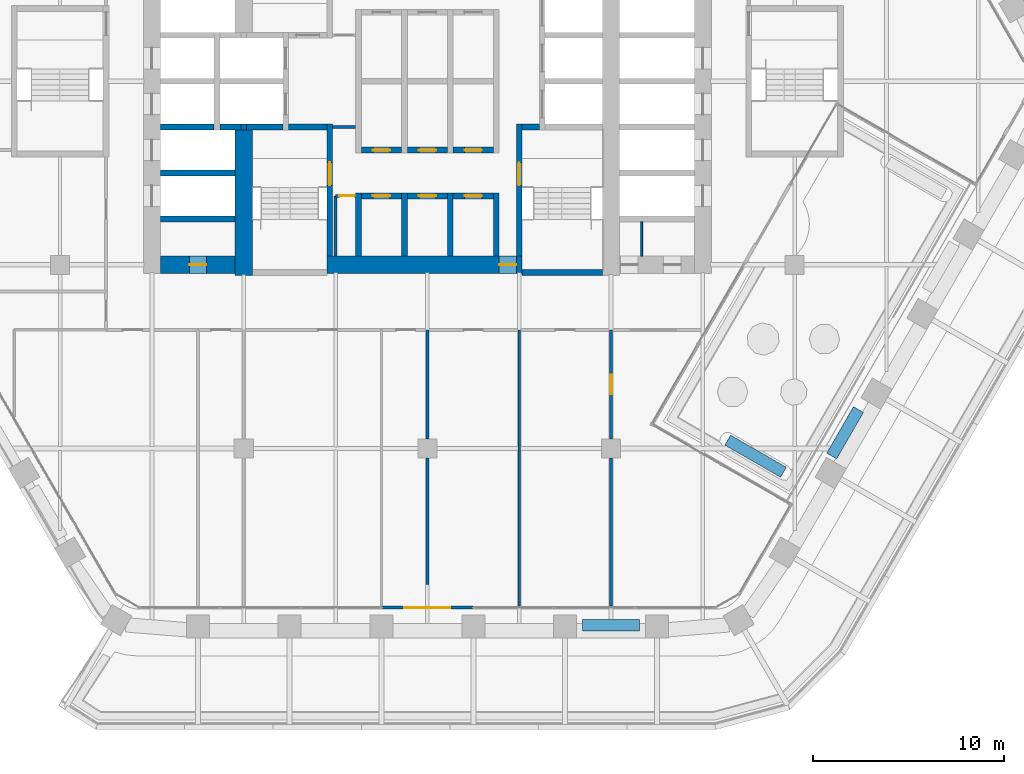
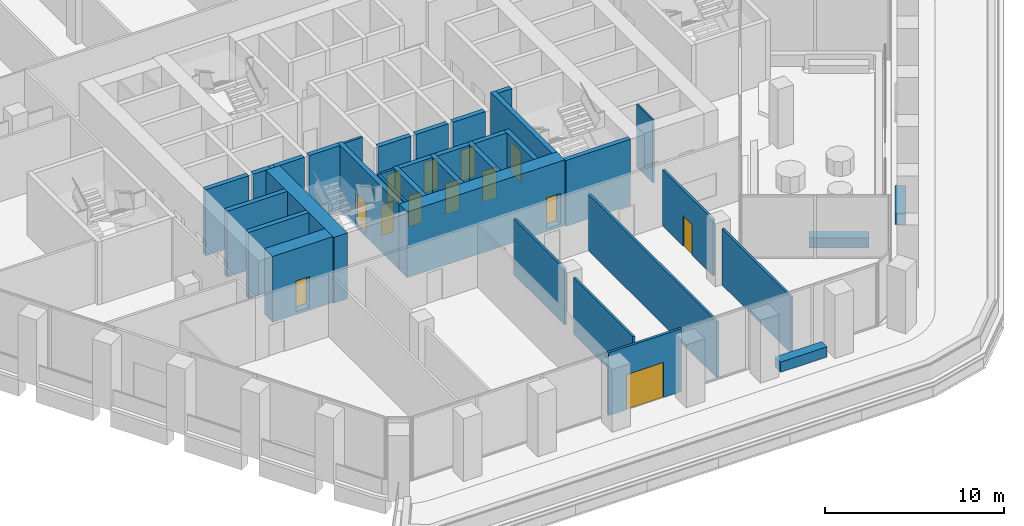
# One storey, part 14 of 25: 37 walls, 13 doors, 13 openings.
"""IFC4 building model written with IfcOpenShell, lengths in metres."""

from ifc_helpers import new_model, si_unit, direction, frame, frame_2d, origin, place, context, subcontext, project, spatial, rectangle, extrude, material, layer, layer_set, type_object, element, fill, save


model = new_model("IFC4")

# Units and contexts
model_context = context("Model", 3, precision=1e-05, world=origin(), true_north=direction((0.0, 1.0)))
body_context = subcontext(model_context, "Body", "Model", "MODEL_VIEW")
ifc_project = project(units=[si_unit("LENGTHUNIT", "METRE"), si_unit("AREAUNIT", "SQUARE_METRE"), si_unit("VOLUMEUNIT", "CUBIC_METRE"), si_unit("PLANEANGLEUNIT", "RADIAN"), si_unit("MASSUNIT", "GRAM", prefix="KILO")], contexts=[model_context])

# Site, building, storey
site_placement = place(None, origin())
site = spatial("IfcSite", under=ifc_project, at=site_placement, CompositionType="ELEMENT")
building_placement = place(site_placement, origin())
building = spatial("IfcBuilding", under=site, at=building_placement, Name="Kolab Exchange Tower", CompositionType="ELEMENT")
storey_placement = place(building_placement, frame((0.0, 0.0, 91.39990234375)))
storey = spatial("IfcBuildingStorey", under=building, at=storey_placement, Name="L17", CompositionType="ELEMENT", Elevation=91.39990234375)

# Wall, opening, door
ifc_material_1 = material(Name="Concrete C70/85", Category="concrete")
ifc_layer_1 = layer(ifc_material_1, 0.89990234375)
ifc_layer_set_1 = layer_set([ifc_layer_1], Name="Concrete C70/85")
wall_type_1 = type_object("IfcWallType", Name="CORE WALL 900 C70/85", PredefinedType="SHEAR", material=ifc_layer_set_1)
wall_1_placement = place(storey_placement, frame((-13.949951171875, -9.60009765625, -0.199951171875), z_axis=(0.0, 0.0, 1.0), x_axis=(1.0, 0.0, 0.0)))
wall_1 = element("IfcWall", 1, at=wall_1_placement, inside=storey, type_object=wall_type_1, Name="wall/L17/core/002", PredefinedType="SHEAR", context=body_context, shape_type="SweptSolid", body=[
    extrude(rectangle(XDim=3.89990234375, YDim=0.89990234375, at=frame_2d((1.949951171875, 0.0))), origin(), (0.0, 0.0, 1.0), 4.5),
])
opening_1_placement = place(wall_1_placement, frame((1.5, 0.0, 0.199951171875)))
opening_1 = element("IfcOpeningElement", 2, at=opening_1_placement, cuts=wall_1, Name="Opening D6-221", PredefinedType="OPENING", context=body_context, shape_type="SweptSolid", body=[
    extrude(rectangle(XDim=0.89990234375, YDim=2.10009765625, at=frame_2d((0.449951171875, 1.050048828125))), frame((0.0, 0.4599609375, 0.0), z_axis=(0.0, -1.0, 0.0), x_axis=(1.0, 0.0, 0.0)), (0.0, 0.0, 1.0), 0.919921875),
])
ifc_material_2 = material(Name="Steel S235", Category="steel")
door_type_1 = type_object("IfcDoorType", Name="CORE DOOR 900 EI 120", OperationType="SINGLE_SWING_LEFT", PredefinedType="DOOR", material=ifc_material_2)
door_1_placement = place(opening_1_placement, origin())
door_1 = element("IfcDoor", 3, at=door_1_placement, inside=storey, type_object=door_type_1, Name="Service room door", OperationType="SINGLE_SWING_LEFT", OverallHeight=2.10009765625, OverallWidth=0.89990234375, PredefinedType="DOOR", context=body_context, shape_type="SweptSolid", body=[
    extrude(rectangle(XDim=0.89990234375, YDim=2.10009765625, at=frame_2d((0.449951171875, 1.050048828125))), frame((0.0, 0.02490234375, 0.0), z_axis=(0.0, -1.0, 0.0), x_axis=(1.0, 0.0, 0.0)), (0.0, 0.0, 1.0), 0.050048828125),
])
fill(opening_1, door_1)

wall_2_placement = place(storey_placement, frame((-5.25, -9.60009765625, -0.199951171875), z_axis=(0.0, 0.0, 1.0), x_axis=(1.0, 0.0, 0.0)))
wall_2 = element("IfcWall", 4, at=wall_2_placement, inside=storey, type_object=wall_type_1, Name="wall/L17/core/003", PredefinedType="SHEAR", context=body_context, shape_type="SweptSolid", body=[
    extrude(rectangle(XDim=10.199951171875, YDim=0.89990234375, at=frame_2d((5.10009765625, 0.0))), origin(), (0.0, 0.0, 1.0), 4.5),
])
opening_2_placement = place(wall_2_placement, frame((9.0, 0.0, 0.199951171875)))
opening_2 = element("IfcOpeningElement", 5, at=opening_2_placement, cuts=wall_2, Name="Opening D6-216", PredefinedType="OPENING", context=body_context, shape_type="SweptSolid", body=[
    extrude(rectangle(XDim=0.89990234375, YDim=2.10009765625, at=frame_2d((0.449951171875, 1.050048828125))), frame((0.0, 0.4599609375, 0.0), z_axis=(0.0, -1.0, 0.0), x_axis=(1.0, 0.0, 0.0)), (0.0, 0.0, 1.0), 0.919921875),
])
door_2_placement = place(opening_2_placement, origin())
door_2 = element("IfcDoor", 6, at=door_2_placement, inside=storey, type_object=door_type_1, Name="Core lobby door", OperationType="SINGLE_SWING_LEFT", OverallHeight=2.10009765625, OverallWidth=0.89990234375, PredefinedType="DOOR", context=body_context, shape_type="SweptSolid", body=[
    extrude(rectangle(XDim=0.89990234375, YDim=2.10009765625, at=frame_2d((0.449951171875, 1.050048828125))), frame((0.0, 0.02490234375, 0.0), z_axis=(0.0, -1.0, 0.0), x_axis=(1.0, 0.0, 0.0)), (0.0, 0.0, 1.0), 0.050048828125),
])
fill(opening_2, door_2)

# Wall
wall_3_placement = place(storey_placement, frame((-9.60009765625, -10.14990234375, -0.199951171875), z_axis=(0.0, 0.0, 1.0), x_axis=(0.0, 1.0, 0.0)))
element("IfcWall", 7, at=wall_3_placement, inside=storey, type_object=wall_type_1, Name="wall/L17/core/059", PredefinedType="SHEAR", context=body_context, shape_type="SweptSolid", body=[
    extrude(rectangle(XDim=7.599853515625, YDim=0.89990234375, at=frame_2d((3.7998046875, 0.0))), origin(), (0.0, 0.0, 1.0), 4.5),
])

# Wall, opening, door
ifc_material_3 = material(Name="Aluminium EN AW-6063 T6", Category="aluminium")
ifc_layer_2 = layer(ifc_material_3, 0.159912109375)
ifc_layer_set_2 = layer_set([ifc_layer_2], Name="Aluminium EN AW-6063 T6")
wall_type_2 = type_object("IfcWallType", Name="DOOR SURROUND WALL 160 ALUMINIUM FRAMED", PredefinedType="PARTITIONING", material=ifc_layer_set_2)
wall_4_placement = place(storey_placement, frame((2.3701171875, -27.5185546875, 0.0), z_axis=(0.0, 0.0, 1.0), x_axis=(-1.0, 0.0, 0.0)))
wall_4 = element("IfcWall", 8, at=wall_4_placement, inside=storey, type_object=wall_type_2, Name="Door surround wall", PredefinedType="PARTITIONING", context=body_context, shape_type="SweptSolid", body=[
    extrude(rectangle(XDim=4.740234375, YDim=0.159912109375, at=frame_2d((2.3701171875, 0.0))), origin(), (0.0, 0.0, 1.0), 4.300048828125),
])
opening_3_placement = place(wall_4_placement, frame((1.169921875, 0.0, 0.0)))
opening_3 = element("IfcOpeningElement", 9, at=opening_3_placement, cuts=wall_4, Name="Opening GD1-037", PredefinedType="OPENING", context=body_context, shape_type="SweptSolid", body=[
    extrude(rectangle(XDim=2.39990234375, YDim=2.39990234375, at=frame_2d((1.199951171875, 1.199951171875))), frame((0.0, 0.08984375, 0.0), z_axis=(0.0, -1.0, 0.0), x_axis=(1.0, 0.0, 0.0)), (0.0, 0.0, 1.0), 0.179931640625),
])
door_type_2 = type_object("IfcDoorType", Name="LOGGIA SLIDING GLASS DOOR 2400 X 2400", OperationType="DOUBLE_DOOR_SINGLE_SWING", PredefinedType="DOOR", material=ifc_material_3)
door_3_placement = place(opening_3_placement, origin())
door_3 = element("IfcDoor", 10, at=door_3_placement, inside=storey, type_object=door_type_2, Name="Loggia door", OperationType="DOUBLE_DOOR_SLIDING", OverallHeight=2.39990234375, OverallWidth=2.39990234375, PredefinedType="DOOR", context=body_context, shape_type="SweptSolid", body=[
    extrude(rectangle(XDim=2.39990234375, YDim=2.39990234375, at=frame_2d((1.199951171875, 1.199951171875))), frame((0.0, 0.02490234375, 0.0), z_axis=(0.0, -1.0, 0.0), x_axis=(1.0, 0.0, 0.0)), (0.0, 0.0, 1.0), 0.050048828125),
])
fill(opening_3, door_3)

# Wall
ifc_material_4 = material(Name="Concrete C50/60", Category="concrete")
ifc_layer_3 = layer(ifc_material_4, 0.300048828125)
ifc_layer_set_3 = layer_set([ifc_layer_3], Name="Concrete C50/60")
wall_type_3 = type_object("IfcWallType", Name="LIFT SHAFT WALL 300 C50/60", PredefinedType="STANDARD", material=ifc_layer_set_3)
wall_5_placement = place(storey_placement, frame((-13.949951171875, -7.199951171875, -0.199951171875), z_axis=(0.0, 0.0, 1.0), x_axis=(1.0, 0.0, 0.0)))
element("IfcWall", 11, at=wall_5_placement, inside=storey, type_object=wall_type_3, Name="wall/L17/core/005", PredefinedType="STANDARD", context=body_context, shape_type="SweptSolid", body=[
    extrude(rectangle(XDim=3.89990234375, YDim=0.300048828125, at=frame_2d((1.949951171875, 0.0))), origin(), (0.0, 0.0, 1.0), 4.5),
])

# Wall, opening, door
wall_6_placement = place(storey_placement, frame((-3.449951171875, -6.0, -0.199951171875), z_axis=(0.0, 0.0, 1.0), x_axis=(1.0, 0.0, 0.0)))
wall_6 = element("IfcWall", 12, at=wall_6_placement, inside=storey, type_object=wall_type_3, Name="wall/L17/core/007", PredefinedType="STANDARD", context=body_context, shape_type="SweptSolid", body=[
    extrude(rectangle(XDim=2.099853515625, YDim=0.300048828125, at=frame_2d((1.0498046875, 0.0))), origin(), (0.0, 0.0, 1.0), 4.5),
])
opening_4_placement = place(wall_6_placement, frame((0.60009765625, 0.0, 0.199951171875)))
opening_4 = element("IfcOpeningElement", 13, at=opening_4_placement, cuts=wall_6, Name="Opening D6-202", PredefinedType="OPENING", context=body_context, shape_type="SweptSolid", body=[
    extrude(rectangle(XDim=0.89990234375, YDim=2.10009765625, at=frame_2d((0.449951171875, 1.050048828125))), frame((0.0, 0.16015625, 0.0), z_axis=(0.0, -1.0, 0.0), x_axis=(1.0, 0.0, 0.0)), (0.0, 0.0, 1.0), 0.320068359375),
])
door_4_placement = place(opening_4_placement, frame((0.89990234375, 0.0, 0.0), z_axis=(0.0, 0.0, 1.0), x_axis=(-1.0, 0.0, 0.0)))
door_4 = element("IfcDoor", 14, at=door_4_placement, inside=storey, type_object=door_type_1, Name="Service room door", OperationType="SINGLE_SWING_LEFT", OverallHeight=2.10009765625, OverallWidth=0.89990234375, PredefinedType="DOOR", context=body_context, shape_type="SweptSolid", body=[
    extrude(rectangle(XDim=0.89990234375, YDim=2.10009765625, at=frame_2d((0.449951171875, 1.050048828125))), frame((0.0, 0.02490234375, 0.0), z_axis=(0.0, -1.0, 0.0), x_axis=(1.0, 0.0, 0.0)), (0.0, 0.0, 1.0), 0.050048828125),
])
fill(opening_4, door_4)

wall_7_placement = place(storey_placement, frame((-1.050048828125, -6.0, -0.199951171875), z_axis=(0.0, 0.0, 1.0), x_axis=(1.0, 0.0, 0.0)))
wall_7 = element("IfcWall", 15, at=wall_7_placement, inside=storey, type_object=wall_type_3, Name="wall/L17/core/008", PredefinedType="STANDARD", context=body_context, shape_type="SweptSolid", body=[
    extrude(rectangle(XDim=2.10009765625, YDim=0.300048828125, at=frame_2d((1.050048828125, 0.0))), origin(), (0.0, 0.0, 1.0), 4.5),
])
opening_5_placement = place(wall_7_placement, frame((0.60009765625, 0.0, 0.199951171875)))
opening_5 = element("IfcOpeningElement", 16, at=opening_5_placement, cuts=wall_7, Name="Opening D6-201", PredefinedType="OPENING", context=body_context, shape_type="SweptSolid", body=[
    extrude(rectangle(XDim=0.89990234375, YDim=2.10009765625, at=frame_2d((0.449951171875, 1.050048828125))), frame((0.0, 0.16015625, 0.0), z_axis=(0.0, -1.0, 0.0), x_axis=(1.0, 0.0, 0.0)), (0.0, 0.0, 1.0), 0.320068359375),
])
door_5_placement = place(opening_5_placement, frame((0.89990234375, 0.0, 0.0), z_axis=(0.0, 0.0, 1.0), x_axis=(-1.0, 0.0, 0.0)))
door_5 = element("IfcDoor", 17, at=door_5_placement, inside=storey, type_object=door_type_1, Name="Service room door", OperationType="SINGLE_SWING_LEFT", OverallHeight=2.10009765625, OverallWidth=0.89990234375, PredefinedType="DOOR", context=body_context, shape_type="SweptSolid", body=[
    extrude(rectangle(XDim=0.89990234375, YDim=2.10009765625, at=frame_2d((0.449951171875, 1.050048828125))), frame((0.0, 0.02490234375, 0.0), z_axis=(0.0, -1.0, 0.0), x_axis=(1.0, 0.0, 0.0)), (0.0, 0.0, 1.0), 0.050048828125),
])
fill(opening_5, door_5)

wall_8_placement = place(storey_placement, frame((1.35009765625, -6.0, -0.199951171875), z_axis=(0.0, 0.0, 1.0), x_axis=(1.0, 0.0, 0.0)))
wall_8 = element("IfcWall", 18, at=wall_8_placement, inside=storey, type_object=wall_type_3, Name="wall/L17/core/009", PredefinedType="STANDARD", context=body_context, shape_type="SweptSolid", body=[
    extrude(rectangle(XDim=2.099853515625, YDim=0.300048828125, at=frame_2d((1.0498046875, 0.0))), origin(), (0.0, 0.0, 1.0), 4.5),
])
opening_6_placement = place(wall_8_placement, frame((0.60009765625, 0.0, 0.199951171875)))
opening_6 = element("IfcOpeningElement", 19, at=opening_6_placement, cuts=wall_8, Name="Opening D6-200", PredefinedType="OPENING", context=body_context, shape_type="SweptSolid", body=[
    extrude(rectangle(XDim=0.89990234375, YDim=2.10009765625, at=frame_2d((0.449951171875, 1.050048828125))), frame((0.0, 0.16015625, 0.0), z_axis=(0.0, -1.0, 0.0), x_axis=(1.0, 0.0, 0.0)), (0.0, 0.0, 1.0), 0.320068359375),
])
door_6_placement = place(opening_6_placement, frame((0.89990234375, 0.0, 0.0), z_axis=(0.0, 0.0, 1.0), x_axis=(-1.0, 0.0, 0.0)))
door_6 = element("IfcDoor", 20, at=door_6_placement, inside=storey, type_object=door_type_1, Name="Service room door", OperationType="SINGLE_SWING_RIGHT", OverallHeight=2.10009765625, OverallWidth=0.89990234375, PredefinedType="DOOR", context=body_context, shape_type="SweptSolid", body=[
    extrude(rectangle(XDim=0.89990234375, YDim=2.10009765625, at=frame_2d((0.449951171875, 1.050048828125))), frame((0.0, 0.02490234375, 0.0), z_axis=(0.0, -1.0, 0.0), x_axis=(1.0, 0.0, 0.0)), (0.0, 0.0, 1.0), 0.050048828125),
])
fill(opening_6, door_6)

# Wall
wall_9_placement = place(storey_placement, frame((-13.949951171875, -4.800048828125, -0.199951171875), z_axis=(0.0, 0.0, 1.0), x_axis=(1.0, 0.0, 0.0)))
element("IfcWall", 21, at=wall_9_placement, inside=storey, type_object=wall_type_3, Name="wall/L17/core/010", PredefinedType="STANDARD", context=body_context, shape_type="SweptSolid", body=[
    extrude(rectangle(XDim=3.89990234375, YDim=0.300048828125, at=frame_2d((1.949951171875, 0.0))), origin(), (0.0, 0.0, 1.0), 4.5),
])

# Wall, opening, door
wall_10_placement = place(storey_placement, frame((-3.449951171875, -3.60009765625, -0.199951171875), z_axis=(0.0, 0.0, 1.0), x_axis=(1.0, 0.0, 0.0)))
wall_10 = element("IfcWall", 22, at=wall_10_placement, inside=storey, type_object=wall_type_3, Name="wall/L17/core/014", PredefinedType="STANDARD", context=body_context, shape_type="SweptSolid", body=[
    extrude(rectangle(XDim=2.099853515625, YDim=0.300048828125, at=frame_2d((1.0498046875, 0.0))), origin(), (0.0, 0.0, 1.0), 4.5),
])
opening_7_placement = place(wall_10_placement, frame((0.60009765625, 0.0, 0.199951171875)))
opening_7 = element("IfcOpeningElement", 23, at=opening_7_placement, cuts=wall_10, Name="Opening D6-199", PredefinedType="OPENING", context=body_context, shape_type="SweptSolid", body=[
    extrude(rectangle(XDim=0.89990234375, YDim=2.10009765625, at=frame_2d((0.449951171875, 1.050048828125))), frame((0.0, 0.16015625, 0.0), z_axis=(0.0, -1.0, 0.0), x_axis=(1.0, 0.0, 0.0)), (0.0, 0.0, 1.0), 0.320068359375),
])
door_7_placement = place(opening_7_placement, origin())
door_7 = element("IfcDoor", 24, at=door_7_placement, inside=storey, type_object=door_type_1, Name="Service room door", OperationType="SINGLE_SWING_LEFT", OverallHeight=2.10009765625, OverallWidth=0.89990234375, PredefinedType="DOOR", context=body_context, shape_type="SweptSolid", body=[
    extrude(rectangle(XDim=0.89990234375, YDim=2.10009765625, at=frame_2d((0.449951171875, 1.050048828125))), frame((0.0, 0.02490234375, 0.0), z_axis=(0.0, -1.0, 0.0), x_axis=(1.0, 0.0, 0.0)), (0.0, 0.0, 1.0), 0.050048828125),
])
fill(opening_7, door_7)

wall_11_placement = place(storey_placement, frame((-1.050048828125, -3.60009765625, -0.199951171875), z_axis=(0.0, 0.0, 1.0), x_axis=(1.0, 0.0, 0.0)))
wall_11 = element("IfcWall", 25, at=wall_11_placement, inside=storey, type_object=wall_type_3, Name="wall/L17/core/015", PredefinedType="STANDARD", context=body_context, shape_type="SweptSolid", body=[
    extrude(rectangle(XDim=2.10009765625, YDim=0.300048828125, at=frame_2d((1.050048828125, 0.0))), origin(), (0.0, 0.0, 1.0), 4.5),
])
opening_8_placement = place(wall_11_placement, frame((0.60009765625, 0.0, 0.199951171875)))
opening_8 = element("IfcOpeningElement", 26, at=opening_8_placement, cuts=wall_11, Name="Opening D6-215", PredefinedType="OPENING", context=body_context, shape_type="SweptSolid", body=[
    extrude(rectangle(XDim=0.89990234375, YDim=2.10009765625, at=frame_2d((0.449951171875, 1.050048828125))), frame((0.0, 0.16015625, 0.0), z_axis=(0.0, -1.0, 0.0), x_axis=(1.0, 0.0, 0.0)), (0.0, 0.0, 1.0), 0.320068359375),
])
door_8_placement = place(opening_8_placement, origin())
door_8 = element("IfcDoor", 27, at=door_8_placement, inside=storey, type_object=door_type_1, Name="Service room door", OperationType="SINGLE_SWING_LEFT", OverallHeight=2.10009765625, OverallWidth=0.89990234375, PredefinedType="DOOR", context=body_context, shape_type="SweptSolid", body=[
    extrude(rectangle(XDim=0.89990234375, YDim=2.10009765625, at=frame_2d((0.449951171875, 1.050048828125))), frame((0.0, 0.02490234375, 0.0), z_axis=(0.0, -1.0, 0.0), x_axis=(1.0, 0.0, 0.0)), (0.0, 0.0, 1.0), 0.050048828125),
])
fill(opening_8, door_8)

wall_12_placement = place(storey_placement, frame((1.35009765625, -3.60009765625, -0.199951171875), z_axis=(0.0, 0.0, 1.0), x_axis=(1.0, 0.0, 0.0)))
wall_12 = element("IfcWall", 28, at=wall_12_placement, inside=storey, type_object=wall_type_3, Name="wall/L17/core/016", PredefinedType="STANDARD", context=body_context, shape_type="SweptSolid", body=[
    extrude(rectangle(XDim=2.099853515625, YDim=0.300048828125, at=frame_2d((1.0498046875, 0.0))), origin(), (0.0, 0.0, 1.0), 4.5),
])
opening_9_placement = place(wall_12_placement, frame((0.60009765625, 0.0, 0.199951171875)))
opening_9 = element("IfcOpeningElement", 29, at=opening_9_placement, cuts=wall_12, Name="Opening D6-197", PredefinedType="OPENING", context=body_context, shape_type="SweptSolid", body=[
    extrude(rectangle(XDim=0.89990234375, YDim=2.10009765625, at=frame_2d((0.449951171875, 1.050048828125))), frame((0.0, 0.16015625, 0.0), z_axis=(0.0, -1.0, 0.0), x_axis=(1.0, 0.0, 0.0)), (0.0, 0.0, 1.0), 0.320068359375),
])
door_9_placement = place(opening_9_placement, origin())
door_9 = element("IfcDoor", 30, at=door_9_placement, inside=storey, type_object=door_type_1, Name="Service room door", OperationType="SINGLE_SWING_RIGHT", OverallHeight=2.10009765625, OverallWidth=0.89990234375, PredefinedType="DOOR", context=body_context, shape_type="SweptSolid", body=[
    extrude(rectangle(XDim=0.89990234375, YDim=2.10009765625, at=frame_2d((0.449951171875, 1.050048828125))), frame((0.0, 0.02490234375, 0.0), z_axis=(0.0, -1.0, 0.0), x_axis=(1.0, 0.0, 0.0)), (0.0, 0.0, 1.0), 0.050048828125),
])
fill(opening_9, door_9)

# Walls
wall_13_placement = place(storey_placement, frame((-13.949951171875, -2.39990234375, -0.199951171875), z_axis=(0.0, 0.0, 1.0), x_axis=(1.0, 0.0, 0.0)))
element("IfcWall", 31, at=wall_13_placement, inside=storey, type_object=wall_type_3, Name="wall/L17/core/017", PredefinedType="STANDARD", context=body_context, shape_type="SweptSolid", body=[
    extrude(rectangle(XDim=2.800048828125, YDim=0.300048828125, at=frame_2d((1.39990234375, 0.0))), origin(), (0.0, 0.0, 1.0), 4.5),
])
wall_14_placement = place(storey_placement, frame((-10.85009765625, -2.39990234375, -0.199951171875), z_axis=(0.0, 0.0, 1.0), x_axis=(1.0, 0.0, 0.0)))
element("IfcWall", 32, at=wall_14_placement, inside=storey, type_object=wall_type_3, Name="wall/L17/core/018", PredefinedType="STANDARD", context=body_context, shape_type="SweptSolid", body=[
    extrude(rectangle(XDim=1.10009765625, YDim=0.300048828125, at=frame_2d((0.550048828125, 0.0))), origin(), (0.0, 0.0, 1.0), 4.5),
])
for number, where, z_axis, x_axis, name in (
    (33, (-3.60009765625, -9.14990234375, -0.199951171875), (0.0, 0.0, 1.0), (0.0, 1.0, 0.0), "wall/L17/core/066"),
    (34, (-1.199951171875, -9.14990234375, -0.199951171875), (0.0, 0.0, 1.0), (0.0, 1.0, 0.0), "wall/L17/core/069"),
    (35, (1.199951171875, -9.14990234375, -0.199951171875), (0.0, 0.0, 1.0), (0.0, 1.0, 0.0), "wall/L17/core/072"),
    (36, (3.60009765625, -9.14990234375, -0.199951171875), (0.0, 0.0, 1.0), (0.0, 1.0, 0.0), "wall/L17/core/075"),
):
    element("IfcWall", number, at=place(storey_placement, frame(where, z_axis=z_axis, x_axis=x_axis)), inside=storey, type_object=wall_type_3, Name=name, PredefinedType="STANDARD", context=body_context, shape_type="SweptSolid", body=[
        extrude(rectangle(XDim=3.2998046875, YDim=0.300048828125, at=frame_2d((1.64990234375, 0.0))), origin(), (0.0, 0.0, 1.0), 4.5),
    ])
ifc_material_5 = material(Name="Gypsum board", Category="gypsum")
ifc_layer_4 = layer(ifc_material_5, 0.10009765625)
ifc_layer_set_4 = layer_set([ifc_layer_4], Name="Gypsum board")
wall_type_4 = type_object("IfcWallType", Name="PARTITION 100", PredefinedType="PARTITIONING", material=ifc_layer_set_4)
wall_15_placement = place(storey_placement, frame((11.199951171875, -9.14990234375, 0.0), z_axis=(0.0, 0.0, 1.0), x_axis=(0.0, 1.0, 0.0)))
element("IfcWall", 37, at=wall_15_placement, inside=storey, type_object=wall_type_4, Name="Partition 004", PredefinedType="PARTITIONING", context=body_context, shape_type="SweptSolid", body=[
    extrude(rectangle(XDim=1.7998046875, YDim=0.10009765625, at=frame_2d((0.89990234375, 0.0))), origin(), (0.0, 0.0, 1.0), 4.300048828125),
])
ifc_layer_5 = layer(ifc_material_5, 0.14990234375)
ifc_layer_set_5 = layer_set([ifc_layer_5], Name="Gypsum board")
wall_type_5 = type_object("IfcWallType", Name="PARTITION 150 FIRE-RATED", PredefinedType="PARTITIONING", material=ifc_layer_set_5)
wall_16_placement = place(storey_placement, frame((9.60009765625, -27.428466796875, 0.0), z_axis=(0.0, 0.0, 1.0), x_axis=(0.0, 1.0, 0.0)))
element("IfcWall", 38, at=wall_16_placement, inside=storey, type_object=wall_type_5, Name="Partition 008", PredefinedType="PARTITIONING", context=body_context, shape_type="SweptSolid", body=[
    extrude(rectangle(XDim=7.728515625, YDim=0.14990234375, at=frame_2d((3.8642578125, 0.0))), origin(), (0.0, 0.0, 1.0), 3.843017578125),
])

# Wall, opening, door
wall_17_placement = place(storey_placement, frame((9.60009765625, -18.699951171875, 0.0), z_axis=(0.0, 0.0, 1.0), x_axis=(0.0, 1.0, 0.0)))
wall_17 = element("IfcWall", 39, at=wall_17_placement, inside=storey, type_object=wall_type_5, Name="Partition 009", PredefinedType="PARTITIONING", context=body_context, shape_type="SweptSolid", body=[
    extrude(rectangle(XDim=5.699951171875, YDim=0.14990234375, at=frame_2d((2.85009765625, 0.0))), origin(), (0.0, 0.0, 1.0), 3.843017578125),
])
opening_10_placement = place(wall_17_placement, frame((2.34521484375, 0.0, 0.0)))
opening_10 = element("IfcOpeningElement", 40, at=opening_10_placement, cuts=wall_17, Name="Opening D1-250", PredefinedType="OPENING", context=body_context, shape_type="SweptSolid", body=[
    extrude(rectangle(XDim=1.0, YDim=2.10009765625, at=frame_2d((0.5, 1.050048828125))), frame((0.0, 0.0849609375, 0.0), z_axis=(0.0, -1.0, 0.0), x_axis=(1.0, 0.0, 0.0)), (0.0, 0.0, 1.0), 0.169921875),
])
door_type_3 = type_object("IfcDoorType", Name="FLUSH DOOR 1000 FD60", OperationType="SINGLE_SWING_LEFT", PredefinedType="DOOR", material=ifc_material_2)
door_10_placement = place(opening_10_placement, frame((1.0, 0.0, 0.0), z_axis=(0.0, 0.0, 1.0), x_axis=(-1.0, 0.0, 0.0)))
door_10 = element("IfcDoor", 41, at=door_10_placement, inside=storey, type_object=door_type_3, Name="Door L17-061", OperationType="SINGLE_SWING_RIGHT", OverallHeight=2.10009765625, OverallWidth=1.0, PredefinedType="DOOR", context=body_context, shape_type="SweptSolid", body=[
    extrude(rectangle(XDim=1.0, YDim=2.10009765625, at=frame_2d((0.5, 1.050048828125))), frame((0.0, 0.02490234375, 0.0), z_axis=(0.0, -1.0, 0.0), x_axis=(1.0, 0.0, 0.0)), (0.0, 0.0, 1.0), 0.050048828125),
])
fill(opening_10, door_10)

# Walls
wall_18_placement = place(storey_placement, frame((4.800048828125, -27.428466796875, 0.0), z_axis=(0.0, 0.0, 1.0), x_axis=(0.0, 1.0, 0.0)))
element("IfcWall", 42, at=wall_18_placement, inside=storey, type_object=wall_type_5, Name="Partition 010", PredefinedType="PARTITIONING", context=body_context, shape_type="SweptSolid", body=[
    extrude(rectangle(XDim=14.428466796875, YDim=0.14990234375, at=frame_2d((7.21435546875, 0.0))), origin(), (0.0, 0.0, 1.0), 3.843017578125),
])
wall_19_placement = place(storey_placement, frame((0.0, -26.318603515625, 0.0), z_axis=(0.0, 0.0, 1.0), x_axis=(0.0, 1.0, 0.0)))
element("IfcWall", 43, at=wall_19_placement, inside=storey, type_object=wall_type_5, Name="Partition 012", PredefinedType="PARTITIONING", context=body_context, shape_type="SweptSolid", body=[
    extrude(rectangle(XDim=6.61865234375, YDim=0.14990234375, at=frame_2d((3.309326171875, 0.0))), origin(), (0.0, 0.0, 1.0), 3.843017578125),
])
wall_20_placement = place(storey_placement, frame((0.0, -18.699951171875, 0.0), z_axis=(0.0, 0.0, 1.0), x_axis=(0.0, 1.0, 0.0)))
element("IfcWall", 44, at=wall_20_placement, inside=storey, type_object=wall_type_5, Name="Partition 013", PredefinedType="PARTITIONING", context=body_context, shape_type="SweptSolid", body=[
    extrude(rectangle(XDim=5.699951171875, YDim=0.14990234375, at=frame_2d((2.85009765625, 0.0))), origin(), (0.0, 0.0, 1.0), 3.843017578125),
])
wall_21_placement = place(storey_placement, frame((-4.800048828125, -9.14990234375, 0.0), z_axis=(0.0, 0.0, 1.0), x_axis=(0.0, 1.0, 0.0)))
element("IfcWall", 45, at=wall_21_placement, inside=storey, type_object=wall_type_5, Name="Partition 018", PredefinedType="PARTITIONING", context=body_context, shape_type="SweptSolid", body=[
    extrude(rectangle(XDim=3.14990234375, YDim=0.14990234375, at=frame_2d((1.574951171875, 0.0))), origin(), (0.0, 0.0, 1.0), 4.300048828125),
])

# Wall, opening, door
wall_22_placement = place(storey_placement, frame((-4.800048828125, -6.0, 0.0), z_axis=(0.0, 0.0, 1.0), x_axis=(1.0, 0.0, 0.0)))
wall_22 = element("IfcWall", 46, at=wall_22_placement, inside=storey, type_object=wall_type_5, Name="Partition 034", PredefinedType="PARTITIONING", context=body_context, shape_type="SweptSolid", body=[
    extrude(rectangle(XDim=1.050048828125, YDim=0.14990234375, at=frame_2d((0.52490234375, 0.0))), origin(), (0.0, 0.0, 1.0), 4.300048828125),
])
opening_11_placement = place(wall_22_placement, frame((0.199951171875, 0.0, 0.0)))
opening_11 = element("IfcOpeningElement", 47, at=opening_11_placement, cuts=wall_22, Name="Opening D7-020", PredefinedType="OPENING", context=body_context, shape_type="SweptSolid", body=[
    extrude(rectangle(XDim=0.800048828125, YDim=2.10009765625, at=frame_2d((0.39990234375, 1.050048828125))), frame((0.0, 0.0849609375, 0.0), z_axis=(0.0, -1.0, 0.0), x_axis=(1.0, 0.0, 0.0)), (0.0, 0.0, 1.0), 0.169921875),
])
door_type_4 = type_object("IfcDoorType", Name="FLUSH DOOR 800 FD60", OperationType="SINGLE_SWING_LEFT", PredefinedType="DOOR", material=ifc_material_2)
door_11_placement = place(opening_11_placement, frame((0.800048828125, 0.0, 0.0), z_axis=(0.0, 0.0, 1.0), x_axis=(-1.0, 0.0, 0.0)))
door_11 = element("IfcDoor", 48, at=door_11_placement, inside=storey, type_object=door_type_4, Name="Door L17-041", OperationType="SINGLE_SWING_RIGHT", OverallHeight=2.10009765625, OverallWidth=0.800048828125, PredefinedType="DOOR", context=body_context, shape_type="SweptSolid", body=[
    extrude(rectangle(XDim=0.800048828125, YDim=2.10009765625, at=frame_2d((0.39990234375, 1.050048828125))), frame((0.0, 0.02490234375, 0.0), z_axis=(0.0, -1.0, 0.0), x_axis=(1.0, 0.0, 0.0)), (0.0, 0.0, 1.0), 0.050048828125),
])
fill(opening_11, door_11)

# Walls
wall_23_placement = place(storey_placement, frame((-4.949951171875, -2.39990234375, 0.0), z_axis=(0.0, 0.0, 1.0), x_axis=(1.0, 0.0, 0.0)))
element("IfcWall", 49, at=wall_23_placement, inside=storey, type_object=wall_type_5, Name="Fire partition", PredefinedType="PARTITIONING", context=body_context, shape_type="SweptSolid", body=[
    extrude(rectangle(XDim=1.199951171875, YDim=0.14990234375, at=frame_2d((0.60009765625, 0.0))), origin(), (0.0, 0.0, 1.0), 4.300048828125),
])
ifc_material_6 = material(Name="Granite facing", Category="masonry")
ifc_layer_6 = layer(ifc_material_6, 0.0400390625)
ifc_material_7 = material(Name="Concrete C40/50 precast", Category="concrete")
ifc_layer_7 = layer(ifc_material_7, 0.56005859375)
ifc_layer_set_6 = layer_set([ifc_layer_6, ifc_layer_7], Name="Concrete C40/50 precast")
wall_type_6 = type_object("IfcWallType", Name="PLANTER BOX 600 X 700 SOIL DEPTH 550", PredefinedType="USERDEFINED", material=ifc_layer_set_6)
wall_24_placement = place(storey_placement, frame((11.10009765625, -28.448486328125, 0.0), z_axis=(0.0, 0.0, 1.0), x_axis=(-1.0, 0.0, 0.0)))
element("IfcWall", 50, at=wall_24_placement, inside=storey, type_object=wall_type_6, Name="Planter", ObjectType="PLANTER", PredefinedType="USERDEFINED", context=body_context, shape_type="SweptSolid", body=[
    extrude(rectangle(XDim=3.0, YDim=0.60009765625, at=frame_2d((1.5, 0.0))), origin(), (0.0, 0.0, 1.0), 0.7001953125),
])
wall_25_placement = place(storey_placement, frame((15.699951171875, -18.763916015625, 0.0), z_axis=(0.0, 0.0, 1.0), x_axis=(0.866039179741, -0.499976138585, 0.0)))
element("IfcWall", 51, at=wall_25_placement, inside=storey, type_object=wall_type_6, Name="Planter", ObjectType="PLANTER", PredefinedType="USERDEFINED", context=body_context, shape_type="SweptSolid", body=[
    extrude(rectangle(XDim=3.360107421875, YDim=0.60009765625, at=frame_2d((1.68017578125, 0.0))), origin(), (0.0, 0.0, 1.0), 0.7001953125),
])
wall_26_placement = place(storey_placement, frame((22.533935546875, -17.1669921875, 0.0), z_axis=(0.0, 0.0, 1.0), x_axis=(-0.49998411664, -0.866034573852, 0.0)))
element("IfcWall", 52, at=wall_26_placement, inside=storey, type_object=wall_type_6, Name="Planter", ObjectType="PLANTER", PredefinedType="USERDEFINED", context=body_context, shape_type="SweptSolid", body=[
    extrude(rectangle(XDim=2.7998046875, YDim=0.60009765625, at=frame_2d((1.39990234375, 0.0))), origin(), (0.0, 0.0, 1.0), 0.7001953125),
])
ifc_layer_8 = layer(ifc_material_4, 0.300048828125)
ifc_layer_set_7 = layer_set([ifc_layer_8], Name="Concrete C50/60")
wall_type_7 = type_object("IfcWallType", Name="STAIR ENCLOSURE WALL 300 C50/60", PredefinedType="STANDARD", material=ifc_layer_set_7)
wall_27_placement = place(storey_placement, frame((4.949951171875, -10.0, -0.199951171875), z_axis=(0.0, 0.0, 1.0), x_axis=(1.0, 0.0, 0.0)))
element("IfcWall", 53, at=wall_27_placement, inside=storey, type_object=wall_type_7, Name="wall/L17/core/001", PredefinedType="STANDARD", context=body_context, shape_type="SweptSolid", body=[
    extrude(rectangle(XDim=4.199951171875, YDim=0.300048828125, at=frame_2d((2.10009765625, 0.0))), origin(), (0.0, 0.0, 1.0), 4.5),
])
wall_28_placement = place(storey_placement, frame((-9.449951171875, -2.39990234375, -0.199951171875), z_axis=(0.0, 0.0, 1.0), x_axis=(1.0, 0.0, 0.0)))
element("IfcWall", 54, at=wall_28_placement, inside=storey, type_object=wall_type_7, Name="wall/L17/core/019", PredefinedType="STANDARD", context=body_context, shape_type="SweptSolid", body=[
    extrude(rectangle(XDim=1.89990234375, YDim=0.300048828125, at=frame_2d((0.949951171875, 0.0))), origin(), (0.0, 0.0, 1.0), 4.5),
])
wall_29_placement = place(storey_placement, frame((-7.25, -2.39990234375, -0.199951171875), z_axis=(0.0, 0.0, 1.0), x_axis=(1.0, 0.0, 0.0)))
element("IfcWall", 55, at=wall_29_placement, inside=storey, type_object=wall_type_7, Name="wall/L17/core/020", PredefinedType="STANDARD", context=body_context, shape_type="SweptSolid", body=[
    extrude(rectangle(XDim=2.0, YDim=0.300048828125, at=frame_2d((1.0, 0.0))), origin(), (0.0, 0.0, 1.0), 4.5),
])
wall_30_placement = place(storey_placement, frame((4.949951171875, -2.39990234375, -0.199951171875), z_axis=(0.0, 0.0, 1.0), x_axis=(1.0, 0.0, 0.0)))
element("IfcWall", 56, at=wall_30_placement, inside=storey, type_object=wall_type_7, Name="wall/L17/core/021", PredefinedType="STANDARD", context=body_context, shape_type="SweptSolid", body=[
    extrude(rectangle(XDim=0.900146484375, YDim=0.300048828125, at=frame_2d((0.4501953125, 0.0))), origin(), (0.0, 0.0, 1.0), 4.5),
])
wall_31_placement = place(storey_placement, frame((-9.60009765625, -2.550048828125, -0.199951171875), z_axis=(0.0, 0.0, 1.0), x_axis=(0.0, 1.0, 0.0)))
element("IfcWall", 57, at=wall_31_placement, inside=storey, type_object=wall_type_7, Name="wall/L17/core/060", PredefinedType="STANDARD", context=body_context, shape_type="SweptSolid", body=[
    extrude(rectangle(XDim=0.300048828125, YDim=0.300048828125, at=frame_2d((0.14990234375, 0.0))), origin(), (0.0, 0.0, 1.0), 4.5),
])

# Wall, opening, door
wall_32_placement = place(storey_placement, frame((-5.10009765625, -9.14990234375, -0.199951171875), z_axis=(0.0, 0.0, 1.0), x_axis=(0.0, 1.0, 0.0)))
wall_32 = element("IfcWall", 58, at=wall_32_placement, inside=storey, type_object=wall_type_7, Name="wall/L17/core/064", PredefinedType="STANDARD", context=body_context, shape_type="SweptSolid", body=[
    extrude(rectangle(XDim=6.89990234375, YDim=0.300048828125, at=frame_2d((3.449951171875, 0.0))), origin(), (0.0, 0.0, 1.0), 4.5),
])
opening_12_placement = place(wall_32_placement, frame((3.699951171875, 0.0, 0.199951171875)))
opening_12 = element("IfcOpeningElement", 59, at=opening_12_placement, cuts=wall_32, Name="Opening D4-046", PredefinedType="OPENING", context=body_context, shape_type="SweptSolid", body=[
    extrude(rectangle(XDim=1.199951171875, YDim=2.10009765625, at=frame_2d((0.60009765625, 1.050048828125))), frame((0.0, 0.16015625, 0.0), z_axis=(0.0, -1.0, 0.0), x_axis=(1.0, 0.0, 0.0)), (0.0, 0.0, 1.0), 0.320068359375),
])
door_type_5 = type_object("IfcDoorType", Name="STAIR DOOR 1200 EI 120", OperationType="SINGLE_SWING_LEFT", PredefinedType="DOOR", material=ifc_material_2)
door_12_placement = place(opening_12_placement, origin())
door_12 = element("IfcDoor", 60, at=door_12_placement, inside=storey, type_object=door_type_5, Name="Stair 3 door", OperationType="SINGLE_SWING_RIGHT", OverallHeight=2.10009765625, OverallWidth=1.199951171875, PredefinedType="DOOR", context=body_context, shape_type="SweptSolid", body=[
    extrude(rectangle(XDim=1.199951171875, YDim=2.10009765625, at=frame_2d((0.60009765625, 1.050048828125))), frame((0.0, 0.02490234375, 0.0), z_axis=(0.0, -1.0, 0.0), x_axis=(1.0, 0.0, 0.0)), (0.0, 0.0, 1.0), 0.050048828125),
])
fill(opening_12, door_12)

wall_33_placement = place(storey_placement, frame((4.800048828125, -9.14990234375, -0.199951171875), z_axis=(0.0, 0.0, 1.0), x_axis=(0.0, 1.0, 0.0)))
wall_33 = element("IfcWall", 61, at=wall_33_placement, inside=storey, type_object=wall_type_7, Name="wall/L17/core/078", PredefinedType="STANDARD", context=body_context, shape_type="SweptSolid", body=[
    extrude(rectangle(XDim=6.89990234375, YDim=0.300048828125, at=frame_2d((3.449951171875, 0.0))), origin(), (0.0, 0.0, 1.0), 4.5),
])
opening_13_placement = place(wall_33_placement, frame((3.699951171875, 0.0, 0.199951171875)))
opening_13 = element("IfcOpeningElement", 62, at=opening_13_placement, cuts=wall_33, Name="Opening D4-045", PredefinedType="OPENING", context=body_context, shape_type="SweptSolid", body=[
    extrude(rectangle(XDim=1.199951171875, YDim=2.10009765625, at=frame_2d((0.60009765625, 1.050048828125))), frame((0.0, 0.16015625, 0.0), z_axis=(0.0, -1.0, 0.0), x_axis=(1.0, 0.0, 0.0)), (0.0, 0.0, 1.0), 0.320068359375),
])
door_13_placement = place(opening_13_placement, frame((1.199951171875, 0.0, 0.0), z_axis=(0.0, 0.0, 1.0), x_axis=(-1.0, 0.0, 0.0)))
door_13 = element("IfcDoor", 63, at=door_13_placement, inside=storey, type_object=door_type_5, Name="Stair 2 door", OperationType="SINGLE_SWING_RIGHT", OverallHeight=2.10009765625, OverallWidth=1.199951171875, PredefinedType="DOOR", context=body_context, shape_type="SweptSolid", body=[
    extrude(rectangle(XDim=1.199951171875, YDim=2.10009765625, at=frame_2d((0.60009765625, 1.050048828125))), frame((0.0, 0.02490234375, 0.0), z_axis=(0.0, -1.0, 0.0), x_axis=(1.0, 0.0, 0.0)), (0.0, 0.0, 1.0), 0.050048828125),
])
fill(opening_13, door_13)

save(model, "model.ifc")
